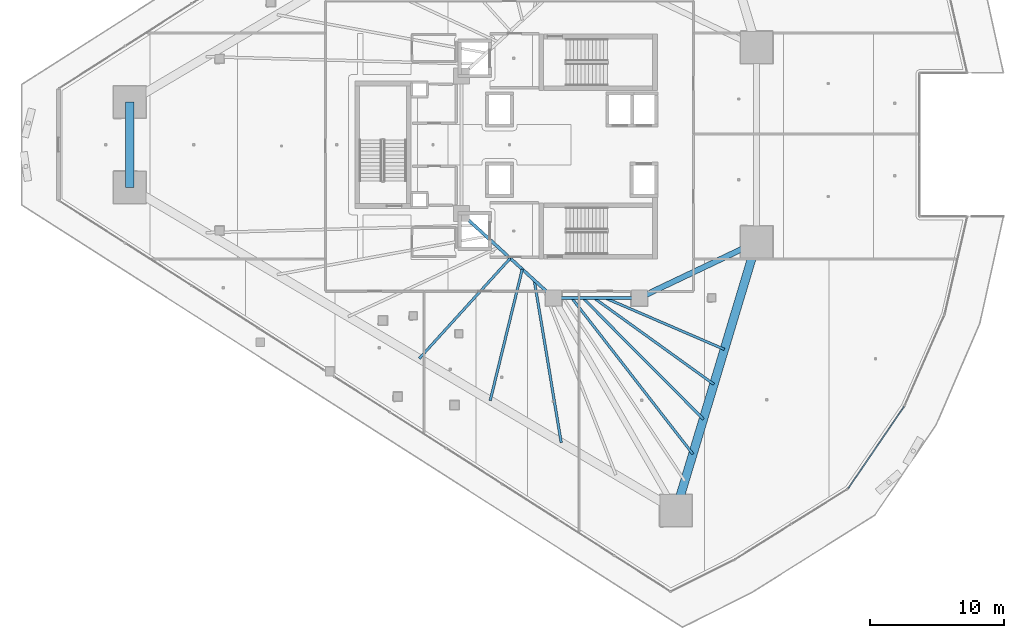
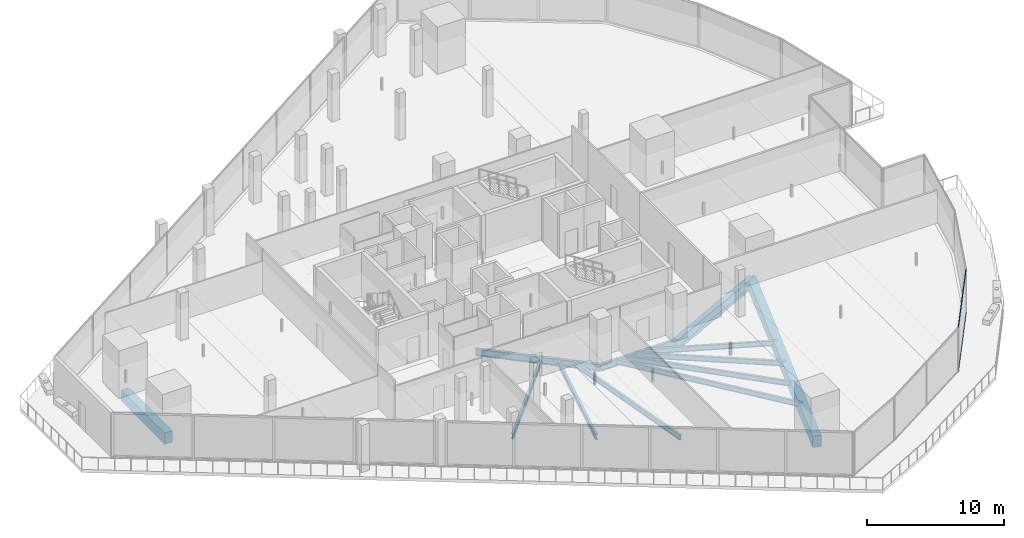
# One storey, part 11 of 44: 12 beams, 2 members, 1 element without a shape of its own.
"""IFC4 building model written with IfcOpenShell, lengths in metres."""

from ifc_helpers import new_model, si_unit, direction, frame, origin, origin_2d, place, context, subcontext, project, spatial, rectangle, hollow_rectangle, i_section, extrude, material, layer, layer_set, material_profile, profile_set, type_object, element, aggregate, save


model = new_model("IFC4")

# Units and contexts
model_context = context("Model", 3, precision=1e-05, world=origin(), true_north=direction((0.0, 1.0)))
body_context = subcontext(model_context, "Body", "Model", "MODEL_VIEW")
ifc_project = project(units=[si_unit("LENGTHUNIT", "METRE"), si_unit("AREAUNIT", "SQUARE_METRE"), si_unit("VOLUMEUNIT", "CUBIC_METRE"), si_unit("PLANEANGLEUNIT", "RADIAN"), si_unit("MASSUNIT", "GRAM", prefix="KILO")], contexts=[model_context])

# Site, building, storey
site_placement = place(None, origin())
site = spatial("IfcSite", under=ifc_project, at=site_placement, CompositionType="ELEMENT")
building_placement = place(site_placement, origin())
building = spatial("IfcBuilding", under=site, at=building_placement, Name="Qorvath Tower", CompositionType="ELEMENT")
storey_placement = place(building_placement, frame((0.0, 0.0, 40.800048828125)))
storey = spatial("IfcBuildingStorey", under=building, at=storey_placement, Name="L08", CompositionType="ELEMENT", Elevation=40.800048828125)

# Beams
ifc_material_1 = material(Name="Steel ASTM A992 Grade 50", Category="steel")
ifc_material_profile_1 = material_profile(ifc_material_1, i_section(OverallWidth=0.422119140625, OverallDepth=0.93310546875, WebThickness=0.021240234375, FlangeThickness=0.039794921875, FilletRadius=0.02392578125, at=origin_2d()), Name="W36x262")
ifc_profile_set_1 = profile_set([ifc_material_profile_1], Name="Steel ASTM A992 Grade 50")
beam_type_1 = type_object("IfcBeamType", Name="BM-FG1", PredefinedType="BEAM", material=ifc_profile_set_1)
beam_1_placement = place(storey_placement, frame((-17.199951171875, -11.449951171875, -0.74658203125), z_axis=(0.902955751435, 0.429733534821, 0.0), x_axis=(-0.429733534821, 0.902955751435, 0.0)))
element("IfcBeam", 1, at=beam_1_placement, inside=storey, type_object=beam_type_1, Name="Radial Floor Girder CC3-MC4 L08", PredefinedType="BEAM", context=body_context, shape_type="SweptSolid", body=[
    extrude(i_section(OverallWidth=0.422119140625, OverallDepth=0.93310546875, WebThickness=0.021240234375, FlangeThickness=0.039794921875, FilletRadius=0.02392578125, at=origin_2d()), origin(), (0.0, 0.0, 1.0), 9.7119140625),
])
ifc_material_2 = material(Name="Steel ASTM A992 Grade 50", Category="steel")
ifc_material_profile_2 = material_profile(ifc_material_2, i_section(OverallWidth=0.22998046875, OverallDepth=0.616943359375, WebThickness=0.01318359375, FlangeThickness=0.022216796875, FilletRadius=0.014892578125, at=origin_2d()), Name="W24x94")
ifc_profile_set_2 = profile_set([ifc_material_profile_2], Name="Steel ASTM A992 Grade 50")
beam_type_2 = type_object("IfcBeamType", Name="BM-FG6", PredefinedType="BEAM", material=ifc_profile_set_2)
beam_2_placement = place(storey_placement, frame((-17.199951171875, -11.449951171875, -0.588623046875), z_axis=(-1.0, 0.0, 0.0), x_axis=(0.0, -1.0, 0.0)))
element("IfcBeam", 2, at=beam_2_placement, inside=storey, type_object=beam_type_2, Name="Core Ring Girder CC3-CC4 L08", PredefinedType="BEAM", context=body_context, shape_type="SweptSolid", body=[
    extrude(i_section(OverallWidth=0.22998046875, OverallDepth=0.616943359375, WebThickness=0.01318359375, FlangeThickness=0.022216796875, FilletRadius=0.014892578125, at=origin_2d()), origin(), (0.0, 0.0, 1.0), 6.400146484375),
])
beam_3_placement = place(storey_placement, frame((-23.60009765625, -11.449951171875, -0.588623046875), z_axis=(-0.73847813985, 0.6742774184, 0.0), x_axis=(-0.6742774184, -0.73847813985, 0.0)))
element("IfcBeam", 3, at=beam_3_placement, inside=storey, type_object=beam_type_2, Name="Core Ring Girder CC4-CC6 L08", PredefinedType="BEAM", context=body_context, shape_type="SweptSolid", body=[
    extrude(i_section(OverallWidth=0.22998046875, OverallDepth=0.616943359375, WebThickness=0.01318359375, FlangeThickness=0.022216796875, FilletRadius=0.014892578125, at=origin_2d()), origin(), (0.0, 0.0, 1.0), 9.343505859375),
])
ifc_material_3 = material(Name="Steel ASTM A992 Grade 50", Category="steel")
ifc_material_profile_3 = material_profile(ifc_material_3, i_section(OverallWidth=0.18994140625, OverallDepth=0.45703125, WebThickness=0.009033203125, FlangeThickness=0.014404296875, FilletRadius=0.011962890625, at=origin_2d()), Name="W18x50")
ifc_profile_set_3 = profile_set([ifc_material_profile_3], Name="Steel ASTM A992 Grade 50")
beam_type_3 = type_object("IfcBeamType", Name="BM-FJ2", PredefinedType="JOIST", material=ifc_profile_set_3)
beam_4_placement = place(storey_placement, frame((-19.760009765625, -11.449951171875, -0.508544921875), z_axis=(0.918135537923, -0.396266493667, 0.0), x_axis=(0.396266493667, 0.918135537923, 0.0)))
element("IfcBeam", 4, at=beam_4_placement, inside=storey, type_object=beam_type_3, Name="Composite Floor Joist SE3 L08", PredefinedType="JOIST", context=body_context, shape_type="SweptSolid", body=[
    extrude(i_section(OverallWidth=0.18994140625, OverallDepth=0.45703125, WebThickness=0.009033203125, FlangeThickness=0.014404296875, FilletRadius=0.011962890625, at=origin_2d()), origin(), (0.0, 0.0, 1.0), 9.7109375),
])
beam_5_placement = place(storey_placement, frame((-20.592041015625, -11.449951171875, -0.508544921875), z_axis=(0.811469358397, -0.584394969505, 0.0), x_axis=(0.584394969505, 0.811469358397, 0.0)))
element("IfcBeam", 5, at=beam_5_placement, inside=storey, type_object=beam_type_3, Name="Composite Floor Joist SE4 L08", PredefinedType="JOIST", context=body_context, shape_type="SweptSolid", body=[
    extrude(i_section(OverallWidth=0.18994140625, OverallDepth=0.45703125, WebThickness=0.009033203125, FlangeThickness=0.014404296875, FilletRadius=0.011962890625, at=origin_2d()), origin(), (0.0, 0.0, 1.0), 11.046142578125),
])
beam_6_placement = place(storey_placement, frame((-21.424072265625, -11.449951171875, -0.508544921875), z_axis=(0.705107654599, -0.709100271771, 0.0), x_axis=(0.709100271771, 0.705107654599, 0.0)))
element("IfcBeam", 6, at=beam_6_placement, inside=storey, type_object=beam_type_3, Name="Composite Floor Joist SE5 L08", PredefinedType="JOIST", context=body_context, shape_type="SweptSolid", body=[
    extrude(i_section(OverallWidth=0.18994140625, OverallDepth=0.45703125, WebThickness=0.009033203125, FlangeThickness=0.014404296875, FilletRadius=0.011962890625, at=origin_2d()), origin(), (0.0, 0.0, 1.0), 12.780029296875),
])
beam_7_placement = place(storey_placement, frame((-22.256103515625, -11.449951171875, -0.508544921875), z_axis=(0.613206963859, -0.789922286984, 0.0), x_axis=(0.789922286984, 0.613206963859, 0.0)))
element("IfcBeam", 7, at=beam_7_placement, inside=storey, type_object=beam_type_3, Name="Composite Floor Joist SE6 L08", PredefinedType="JOIST", context=body_context, shape_type="SweptSolid", body=[
    extrude(i_section(OverallWidth=0.18994140625, OverallDepth=0.45703125, WebThickness=0.009033203125, FlangeThickness=0.014404296875, FilletRadius=0.011962890625, at=origin_2d()), origin(), (0.0, 0.0, 1.0), 14.77294921875),
])
beam_8_placement = place(storey_placement, frame((-26.843017578125, -8.489013671875, -0.508544921875), z_axis=(-0.672128980215, -0.740434084815, 0.0), x_axis=(0.740434084815, -0.672128980215, 0.0)))
element("IfcBeam", 8, at=beam_8_placement, inside=storey, type_object=beam_type_3, Name="Composite Floor Joist SW4 L08", PredefinedType="JOIST", context=body_context, shape_type="SweptSolid", body=[
    extrude(i_section(OverallWidth=0.18994140625, OverallDepth=0.45703125, WebThickness=0.009033203125, FlangeThickness=0.014404296875, FilletRadius=0.011962890625, at=origin_2d()), origin(), (0.0, 0.0, 1.0), 10.1259765625),
])
beam_9_placement = place(storey_placement, frame((-25.946044921875, -9.30810546875, -0.508544921875), z_axis=(-0.237165308581, -0.97146930801, 0.0), x_axis=(0.97146930801, -0.237165308581, 0.0)))
element("IfcBeam", 9, at=beam_9_placement, inside=storey, type_object=beam_type_3, Name="Composite Floor Joist SW5 L08", PredefinedType="JOIST", context=body_context, shape_type="SweptSolid", body=[
    extrude(i_section(OverallWidth=0.18994140625, OverallDepth=0.45703125, WebThickness=0.009033203125, FlangeThickness=0.014404296875, FilletRadius=0.011962890625, at=origin_2d()), origin(), (0.0, 0.0, 1.0), 10.104736328125),
])
beam_10_placement = place(storey_placement, frame((-25.049072265625, -10.126953125, -0.508544921875), z_axis=(0.163639384475, -0.98652022374, 0.0), x_axis=(0.98652022374, 0.163639384475, 0.0)))
element("IfcBeam", 10, at=beam_10_placement, inside=storey, type_object=beam_type_3, Name="Composite Floor Joist SW6 L08", PredefinedType="JOIST", context=body_context, shape_type="SweptSolid", body=[
    extrude(i_section(OverallWidth=0.18994140625, OverallDepth=0.45703125, WebThickness=0.009033203125, FlangeThickness=0.014404296875, FilletRadius=0.011962890625, at=origin_2d()), origin(), (0.0, 0.0, 1.0), 12.301025390625),
])
ifc_material_4 = material(Name="Concrete C50/60", Category="concrete")
ifc_material_profile_4 = material_profile(ifc_material_4, rectangle(XDim=0.64990234375, YDim=1.0, at=origin_2d()), Name="RCB 1000x650")
ifc_profile_set_4 = profile_set([ifc_material_profile_4], Name="Concrete C50/60")
beam_type_4 = type_object("IfcBeamType", Name="BM-RCB1", PredefinedType="SPANDREL", material=ifc_profile_set_4)
beam_11_placement = place(storey_placement, frame((-55.282958984375, 3.194580078125, -0.780029296875), z_axis=(0.0, -1.0, 0.0), x_axis=(1.0, 0.0, 0.0)))
element("IfcBeam", 11, at=beam_11_placement, inside=storey, type_object=beam_type_4, Name="Perimeter Loggia Frame Beam MC1-MC2 L08", PredefinedType="SPANDREL", context=body_context, shape_type="SweptSolid", body=[
    extrude(rectangle(XDim=0.64990234375, YDim=1.0, at=origin_2d()), origin(), (0.0, 0.0, 1.0), 6.38916015625),
])
beam_12_placement = place(storey_placement, frame((-14.46435546875, -27.330810546875, -0.780029296875), z_axis=(0.288118908799, 0.957594639914, 0.0), x_axis=(-0.957594639914, 0.288118908799, 0.0)))
element("IfcBeam", 12, at=beam_12_placement, inside=storey, type_object=beam_type_4, Name="Perimeter Loggia Frame Beam MC3-MC4 L08", PredefinedType="SPANDREL", context=body_context, shape_type="SweptSolid", body=[
    extrude(rectangle(XDim=0.64990234375, YDim=1.0, at=origin_2d()), origin(), (0.0, 0.0, 1.0), 20.942626953125),
])

# Curtain wall, members
ifc_material_5 = material(Name="Anodised aluminium and triple low-E glass", Category="aluminium")
ifc_layer = layer(ifc_material_5, 0.179931640625)
ifc_layer_set = layer_set([ifc_layer], Name="CW-SYS-2")
curtain_wall_type = type_object("IfcCurtainWallType", Name="CW-SYS-2", PredefinedType="NOTDEFINED", material=ifc_layer_set)
curtain_wall_placement = place(storey_placement, origin())
curtain_wall = element("IfcCurtainWall", 13, at=curtain_wall_placement, inside=storey, type_object=curtain_wall_type, Name="Curtain Wall CW-2 CW-T-L08-5.1", PredefinedType="NOTDEFINED")
ifc_material_6 = material(Name="Anodised aluminium 6063-T6", Category="aluminium")
ifc_material_profile_5 = material_profile(ifc_material_6, hollow_rectangle(XDim=0.06494140625, YDim=0.159912109375, WallThickness=0.00341796875, InnerFilletRadius=0.00341796875, OuterFilletRadius=0.007080078125, at=origin_2d()), Name="CWT 160x65")
ifc_profile_set_5 = profile_set([ifc_material_profile_5], Name="Anodised aluminium 6063-T6")
member_type = type_object("IfcMemberType", Name="CWT-160", PredefinedType="USERDEFINED", material=ifc_profile_set_5)
member_1_placement = place(storey_placement, frame((-1.567626953125, -25.6669921875, 0.032470703125), z_axis=(0.56390431925, 0.825840129039, 0.0), x_axis=(-0.825840129039, 0.56390431925, 0.0)))
member_1 = element("IfcMember", 14, at=member_1_placement, type_object=member_type, Name="CW-2 transom 1.1", ObjectType="TRANSOM", PredefinedType="USERDEFINED", context=body_context, shape_type="SweptSolid", body=[
    extrude(hollow_rectangle(XDim=0.06494140625, YDim=0.159912109375, WallThickness=0.00341796875, InnerFilletRadius=0.00341796875, OuterFilletRadius=0.007080078125, at=origin_2d()), origin(), (0.0, 0.0, 1.0), 7.366943359375),
])
member_2_placement = place(storey_placement, frame((-1.567626953125, -25.6669921875, 3.887451171875), z_axis=(0.56390431925, 0.825840129039, 0.0), x_axis=(-0.825840129039, 0.56390431925, 0.0)))
member_2 = element("IfcMember", 15, at=member_2_placement, type_object=member_type, Name="CW-2 transom 1.2", ObjectType="TRANSOM", PredefinedType="USERDEFINED", context=body_context, shape_type="SweptSolid", body=[
    extrude(hollow_rectangle(XDim=0.06494140625, YDim=0.159912109375, WallThickness=0.00341796875, InnerFilletRadius=0.00341796875, OuterFilletRadius=0.007080078125, at=origin_2d()), origin(), (0.0, 0.0, 1.0), 7.366943359375),
])
aggregate(curtain_wall, [member_1, member_2])

save(model, "model.ifc")
